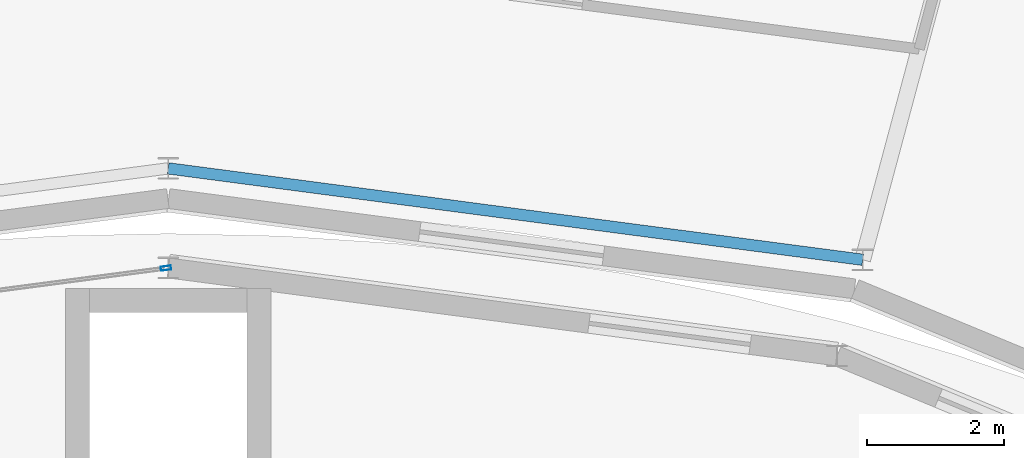
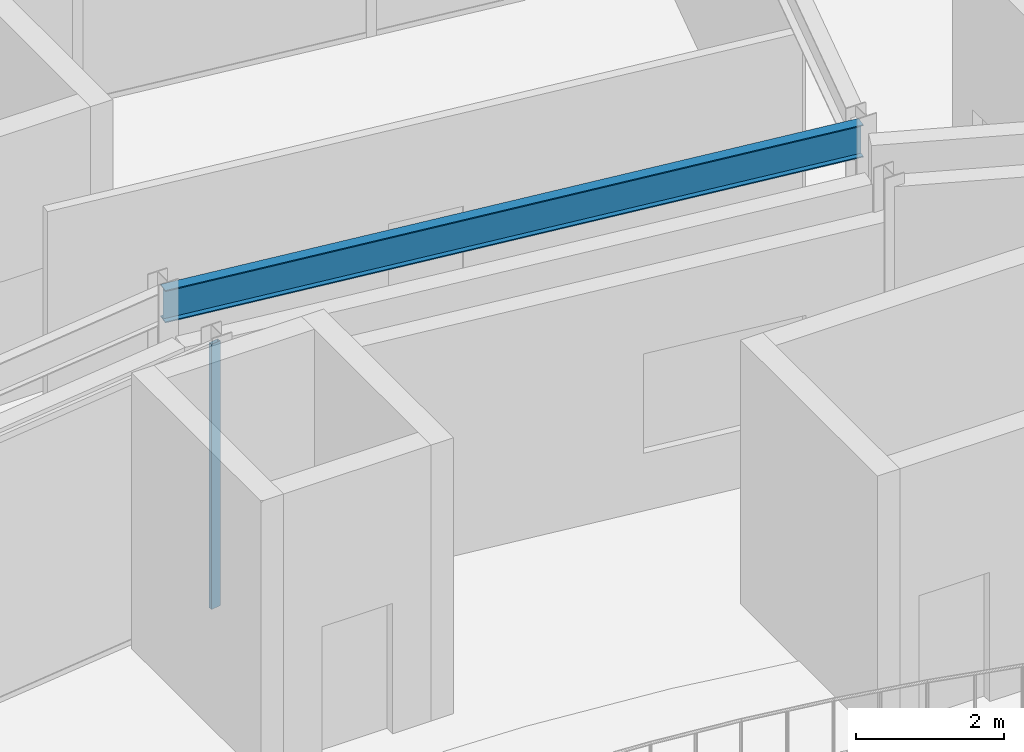
# One storey, part 50 of 116: 1 beam, 1 member, 1 element without a shape of its own.
"""IFC4 building model written with IfcOpenShell, lengths in metres."""

from ifc_helpers import new_model, si_unit, direction, frame, origin, origin_2d, place, context, subcontext, project, spatial, hollow_rectangle, i_section, extrude, material, material_profile, profile_set, type_object, element, aggregate, save


model = new_model("IFC4")

# Units and contexts
model_context = context("Model", 3, precision=1e-05, world=origin(), true_north=direction((0.0, 1.0)))
body_context = subcontext(model_context, "Body", "Model", "MODEL_VIEW")
ifc_project = project(units=[si_unit("LENGTHUNIT", "METRE"), si_unit("AREAUNIT", "SQUARE_METRE"), si_unit("VOLUMEUNIT", "CUBIC_METRE"), si_unit("PLANEANGLEUNIT", "RADIAN"), si_unit("MASSUNIT", "GRAM", prefix="KILO")], contexts=[model_context])

# Site, building, storey
site_placement = place(None, origin())
site = spatial("IfcSite", under=ifc_project, at=site_placement, CompositionType="ELEMENT")
building_placement = place(site_placement, origin())
building = spatial("IfcBuilding", under=site, at=building_placement, Name="Almandine Court Research Institute", CompositionType="ELEMENT")
storey_placement = place(building_placement, frame((0.0, 0.0, 14.35009765625)))
storey = spatial("IfcBuildingStorey", under=building, at=storey_placement, Name="L03", CompositionType="ELEMENT", Elevation=14.35009765625)

# Beam
ifc_material_1 = material(Name="Steel ASTM A992 Grade 50", Category="steel")
ifc_material_profile_1 = material_profile(ifc_material_1, i_section(OverallWidth=0.166015625, OverallDepth=0.534912109375, WebThickness=0.010009765625, FlangeThickness=0.01708984375, at=origin_2d()), Name="W530x85")
ifc_profile_set_1 = profile_set([ifc_material_profile_1], Name="Steel ASTM A992 Grade 50")
beam_type = type_object("IfcBeamType", Name="Beam-G-05-E", PredefinedType="SPANDREL", material=ifc_profile_set_1)
beam_placement = place(storey_placement, frame((97.1201171875, 93.76806640625, 4.102783203125), z_axis=(-0.991448758831, 0.130496584681, 0.0), x_axis=(-0.130496584681, -0.991448758831, 0.0)))
element("IfcBeam", 1, at=beam_placement, inside=storey, type_object=beam_type, Name="L03 Drum IN Ring Beam 05", PredefinedType="SPANDREL", context=body_context, shape_type="SweptSolid", body=[
    extrude(i_section(OverallWidth=0.166015625, OverallDepth=0.534912109375, WebThickness=0.010009765625, FlangeThickness=0.01708984375, at=origin_2d()), origin(), (0.0, 0.0, 1.0), 10.20751953125),
])

# Curtain wall, member
ifc_material_2 = material(Name="Unitised Curtain Wall Framing and Solar Glazing", Category="glass")
curtain_wall_type = type_object("IfcCurtainWallType", Name="CW-CWG-24", PredefinedType="USERDEFINED", material=ifc_material_2)
curtain_wall_placement = place(storey_placement, origin())
curtain_wall = element("IfcCurtainWall", 2, at=curtain_wall_placement, inside=storey, type_object=curtain_wall_type, Name="L03 Interaction Atrium Perimeter Curtain Wall 06", ObjectType="UNITISED GLAZING", PredefinedType="USERDEFINED")
ifc_material_3 = material(Name="Anodised Aluminium AW-6063-T6", Category="aluminium")
ifc_material_profile_2 = material_profile(ifc_material_3, hollow_rectangle(XDim=0.06005859375, YDim=0.14990234375, WallThickness=0.00390625, at=origin_2d()), Name="ALU RHS 60x150x4")
ifc_profile_set_2 = profile_set([ifc_material_profile_2], Name="Anodised Aluminium AW-6063-T6")
member_type = type_object("IfcMemberType", Name="CWMul-60x150", PredefinedType="MULLION", material=ifc_profile_set_2)
member_placement = place(storey_placement, frame((86.96630859375, 93.64599609375, 0.0), z_axis=(0.0, 0.0, 1.0), x_axis=(-0.130536164028, 0.991443548509, 0.0)))
member = element("IfcMember", 3, at=member_placement, type_object=member_type, Name="CWG-24 mullion 3", PredefinedType="MULLION", context=body_context, shape_type="SweptSolid", body=[
    extrude(hollow_rectangle(XDim=0.06005859375, YDim=0.14990234375, WallThickness=0.00390625, at=origin_2d()), origin(), (0.0, 0.0, 1.0), 4.369873046875),
])
aggregate(curtain_wall, [member])

save(model, "model.ifc")
